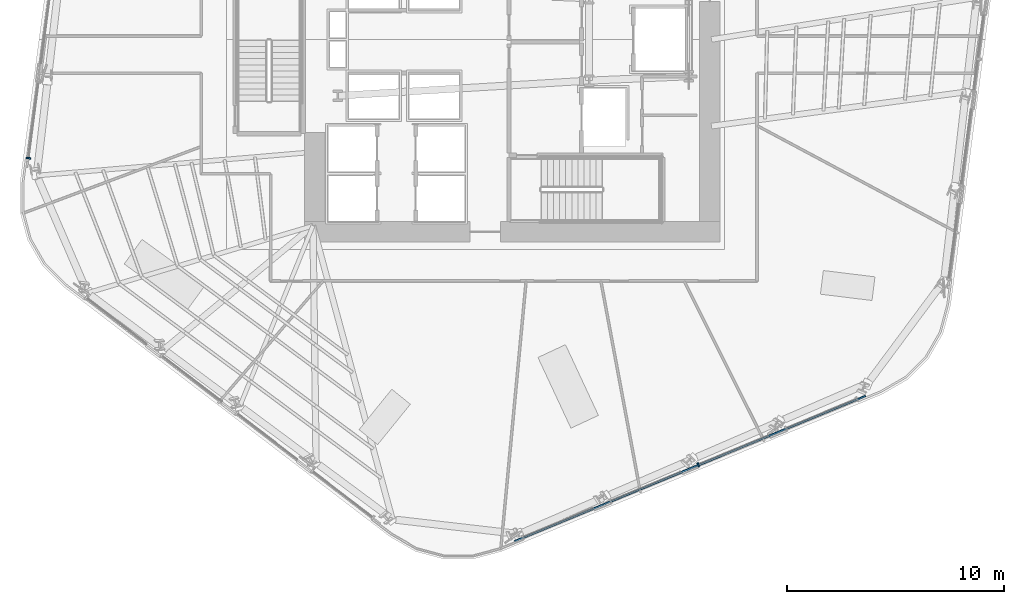
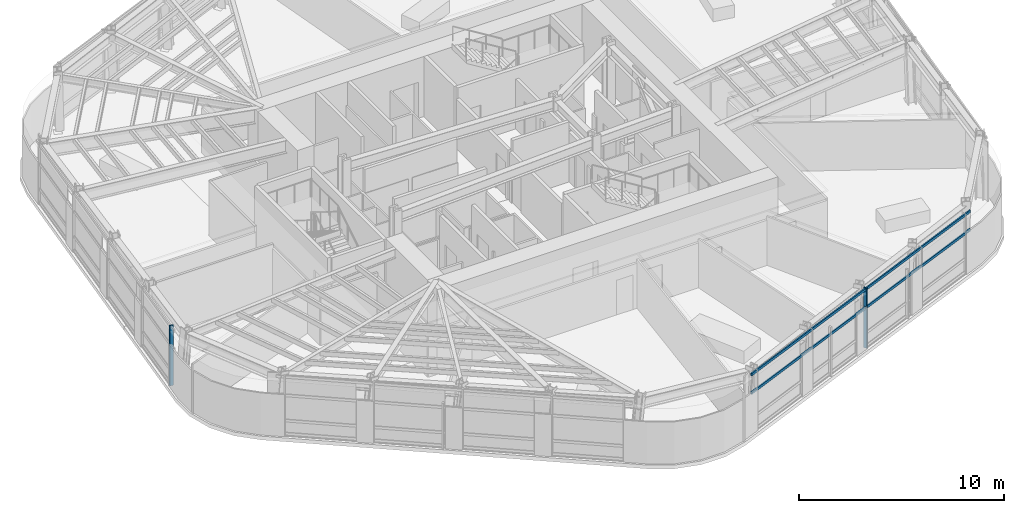
# One storey, part 3 of 18: 4 members, 2 elements without a shape of their own.
"""IFC4 building model written with IfcOpenShell, lengths in metres."""

from ifc_helpers import new_model, si_unit, direction, frame, origin, origin_2d, place, context, subcontext, project, spatial, rectangle, extrude, material, layer, layer_set, material_profile, profile_set, type_object, element, aggregate, save


model = new_model("IFC4")

# Units and contexts
model_context = context("Model", 3, precision=1e-05, world=origin(), true_north=direction((0.0, 1.0)))
body_context = subcontext(model_context, "Body", "Model", "MODEL_VIEW")
ifc_project = project(units=[si_unit("LENGTHUNIT", "METRE"), si_unit("AREAUNIT", "SQUARE_METRE"), si_unit("VOLUMEUNIT", "CUBIC_METRE"), si_unit("PLANEANGLEUNIT", "RADIAN"), si_unit("MASSUNIT", "GRAM", prefix="KILO")], contexts=[model_context])

# Site, building, storey
site_placement = place(None, origin())
site = spatial("IfcSite", under=ifc_project, at=site_placement, CompositionType="ELEMENT")
building_placement = place(site_placement, origin())
building = spatial("IfcBuilding", under=site, at=building_placement, Name="Valkerne Bourse Tower", CompositionType="ELEMENT")
storey_placement = place(building_placement, frame((0.0, 0.0, 120.0)))
storey = spatial("IfcBuildingStorey", under=building, at=storey_placement, Name="L30", CompositionType="ELEMENT", Elevation=120.0)

# Curtain wall, member
ifc_material = material(Name="Aluminium AA 6063-T6", Category="aluminium")
ifc_layer = layer(ifc_material, 0.22998046875)
ifc_layer_set = layer_set([ifc_layer], Name="Aluminium AA 6063-T6")
curtain_wall_type = type_object("IfcCurtainWallType", Name="CW-02", PredefinedType="NOTDEFINED", material=ifc_layer_set)
curtain_wall_1_placement = place(storey_placement, origin())
curtain_wall_1 = element("IfcCurtainWall", 1, at=curtain_wall_1_placement, inside=storey, type_object=curtain_wall_type, Name="L30 Hexagonal Stick Curtain Wall Face 3", PredefinedType="NOTDEFINED")
ifc_material_profile_1 = material_profile(ifc_material, rectangle(XDim=0.074951171875, YDim=0.199951171875, at=origin_2d()), Name="CWM-75X200")
ifc_profile_set_1 = profile_set([ifc_material_profile_1], Name="Aluminium AA 6063-T6")
member_type_1 = type_object("IfcMemberType", Name="CW-MUL-220X75", PredefinedType="MULLION", material=ifc_profile_set_1)
member_1_placement = place(storey_placement, frame((24.46630859375, 21.522216796875, 0.0), z_axis=(0.0, 0.0, 1.0), x_axis=(-0.130527105368, -0.991444741155, 0.0)))
member_1 = element("IfcMember", 2, at=member_1_placement, type_object=member_type_1, Name="CW-L30-F3 Jamb Mullion 03B", PredefinedType="MULLION", context=body_context, shape_type="SweptSolid", body=[
    extrude(rectangle(XDim=0.074951171875, YDim=0.199951171875, at=origin_2d()), origin(), (0.0, 0.0, 1.0), 3.580078125),
])
aggregate(curtain_wall_1, [member_1])

# Curtain wall, members
curtain_wall_2_placement = place(storey_placement, origin())
curtain_wall_2 = element("IfcCurtainWall", 3, at=curtain_wall_2_placement, inside=storey, type_object=curtain_wall_type, Name="L30 Hexagonal Stick Curtain Wall Face 5", PredefinedType="NOTDEFINED")
member_2_placement = place(storey_placement, frame((55.387939453125, 7.364013671875, 0.0), z_axis=(0.0, 0.0, 1.0), x_axis=(0.923880855352, 0.382680238729, 0.0)))
member_2 = element("IfcMember", 4, at=member_2_placement, type_object=member_type_1, Name="CW-L30-F5 Jamb Mullion 02A", PredefinedType="MULLION", context=body_context, shape_type="SweptSolid", body=[
    extrude(rectangle(XDim=0.074951171875, YDim=0.199951171875, at=origin_2d()), origin(), (0.0, 0.0, 1.0), 3.580078125),
])
ifc_material_profile_2 = material_profile(ifc_material, rectangle(XDim=0.074951171875, YDim=0.14990234375, at=origin_2d()), Name="CWT-75X150")
ifc_profile_set_2 = profile_set([ifc_material_profile_2], Name="Aluminium AA 6063-T6")
member_type_2 = type_object("IfcMemberType", Name="CW-TRN-180X65", PredefinedType="USERDEFINED", material=ifc_profile_set_2)
member_3_placement = place(storey_placement, frame((46.908935546875, 3.830322265625, 2.39990234375), z_axis=(0.923879526582, 0.38268344668, 0.0), x_axis=(-0.38268344668, 0.923879526582, 0.0)))
member_3 = element("IfcMember", 5, at=member_3_placement, type_object=member_type_2, Name="CW-L30-F5 Continuous Face Transom 3", ObjectType="TRANSOM", PredefinedType="USERDEFINED", context=body_context, shape_type="SweptSolid", body=[
    extrude(rectangle(XDim=0.074951171875, YDim=0.14990234375, at=origin_2d()), origin(), (0.0, 0.0, 1.0), 17.531982421875),
])
member_4_placement = place(storey_placement, frame((46.908935546875, 3.830322265625, 3.5), z_axis=(0.923879526582, 0.38268344668, 0.0), x_axis=(-0.38268344668, 0.923879526582, 0.0)))
member_4 = element("IfcMember", 6, at=member_4_placement, type_object=member_type_2, Name="CW-L30-F5 Continuous Face Transom 4", ObjectType="TRANSOM", PredefinedType="USERDEFINED", context=body_context, shape_type="SweptSolid", body=[
    extrude(rectangle(XDim=0.074951171875, YDim=0.14990234375, at=origin_2d()), origin(), (0.0, 0.0, 1.0), 17.531982421875),
])
aggregate(curtain_wall_2, [member_3, member_4, member_2])

save(model, "model.ifc")
